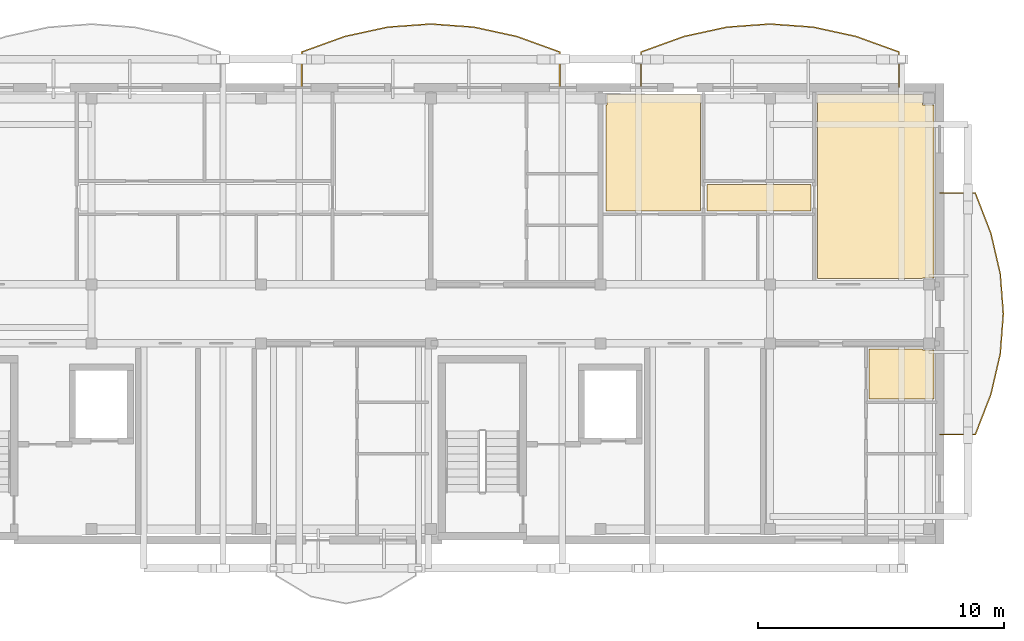
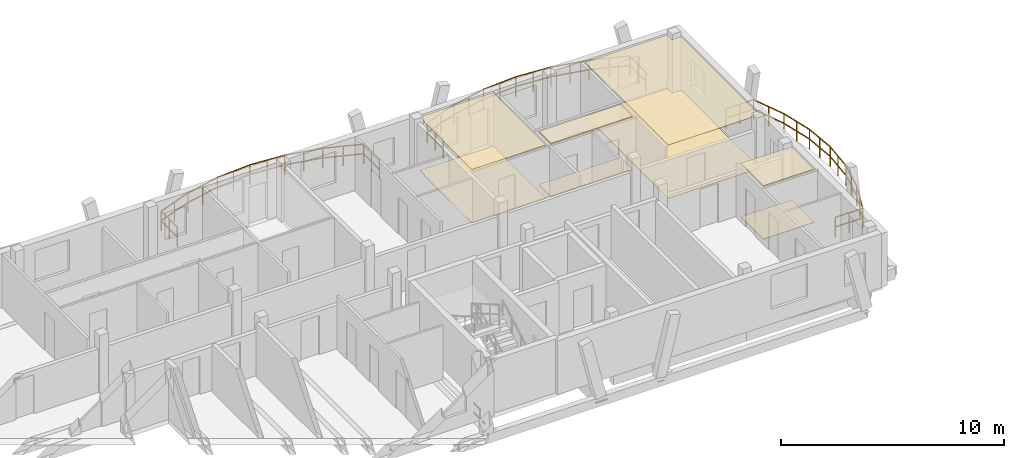
# One storey, part 42 of 42: 8 coverings, 3 railings.
"""IFC4 building model written with IfcOpenShell, lengths in metres."""

import ifcopenshell
import ifcopenshell.guid

model = None  # the IFC model being written
_history = None  # IfcOwnerHistory: only IFC2X3 demands one
_inside = {}  # id of a spatial element -> (the spatial element, [elements in it])
_under = {}  # id of a project, library or spatial element -> (it, [spatial elements below it])
_declared = {}  # id of a project -> (the project, [libraries it declares])
_typed = {}  # id of a type object -> (the type object, [elements of that type])
_made_of = {}  # id of a material, layer set ... -> (it, [elements and type objects made of it])


def new_model(schema):
    """Start an empty IFC model of exactly this schema.

    Asked for "IFC4X3", IfcOpenShell would pick the latest addendum, in which some entities
    have other attributes; the version numbers below select the first issue.
    IFC2X3 requires an IfcOwnerHistory on every rooted entity: one is made here for all.
    """
    global model, _history
    if schema == "IFC4X3":
        model = ifcopenshell.file(schema_version=(4, 3, 0, 0))
    else:
        model = ifcopenshell.file(schema=schema)
    _inside.clear()
    _under.clear()
    _declared.clear()
    _typed.clear()
    _made_of.clear()
    _history = None
    if model.schema == "IFC2X3":
        org = make("IfcOrganization", Name="unknown")
        user = make(
            "IfcPersonAndOrganization",
            ThePerson=make("IfcPerson", FamilyName="unknown"),
            TheOrganization=org,
        )
        app = make(
            "IfcApplication",
            ApplicationDeveloper=org,
            Version="unknown",
            ApplicationFullName="unknown",
            ApplicationIdentifier="unknown",
        )
        _history = make(
            "IfcOwnerHistory",
            OwningUser=user,
            OwningApplication=app,
            ChangeAction="ADDED",
            CreationDate=0,
        )
    return model


def make(cls, **values):
    """One entity of the class cls with the attributes given. An attribute that is None is left unset."""
    return model.create_entity(
        cls, **{name: value for name, value in values.items() if value is not None}
    )


def rooted(cls, **values):
    """An entity with a GlobalId (a new one), such as an element, a storey or a relation."""
    return make(cls, GlobalId=ifcopenshell.guid.new(), OwnerHistory=_history, **values)


def si_unit(unit_type, name, prefix=None):
    """IfcSIUnit, for example si_unit("LENGTHUNIT", "METRE", prefix="MILLI")."""
    return make("IfcSIUnit", UnitType=unit_type, Prefix=prefix, Name=name)


def assignment(units):
    """IfcUnitAssignment: the units of a project."""
    return None if units is None else make("IfcUnitAssignment", Units=units)


def point(xyz):
    """IfcCartesianPoint."""
    return None if xyz is None else make("IfcCartesianPoint", Coordinates=xyz)


def direction(xyz):
    """IfcDirection."""
    return None if xyz is None else make("IfcDirection", DirectionRatios=xyz)


def frame(location, z_axis=None, x_axis=None):
    """IfcAxis2Placement3D, a coordinate frame: its origin and axes. An axis left out is left unset."""
    return make(
        "IfcAxis2Placement3D",
        Location=point(location),
        Axis=direction(z_axis),
        RefDirection=direction(x_axis),
    )


def frame_2d(location, x_axis=None):
    """IfcAxis2Placement2D, a coordinate frame in the plane: its origin and x axis."""
    return make(
        "IfcAxis2Placement2D", Location=point(location), RefDirection=direction(x_axis)
    )


def origin():
    """The frame at (0, 0, 0) with its axes left unset."""
    return frame((0.0, 0.0, 0.0))


def origin_2d():
    """The frame at (0, 0) in the plane with its x axis left unset."""
    return frame_2d((0.0, 0.0))


def place(relative_to, where):
    """IfcLocalPlacement: puts the frame where relative to a parent placement (None: the world)."""
    return make(
        "IfcLocalPlacement", PlacementRelTo=relative_to, RelativePlacement=where
    )


def context(
    kind, dimensions, precision=None, world=None, true_north=None, identifier=None
):
    """IfcGeometricRepresentationContext, for example the 3D "Model" context."""
    return make(
        "IfcGeometricRepresentationContext",
        ContextIdentifier=identifier,
        ContextType=kind,
        CoordinateSpaceDimension=dimensions,
        Precision=precision,
        WorldCoordinateSystem=world,
        TrueNorth=true_north,
    )


def subcontext(parent, identifier, kind, view, scale=None):
    """IfcGeometricRepresentationSubContext, for example "Body" below "Model"."""
    return make(
        "IfcGeometricRepresentationSubContext",
        ContextIdentifier=identifier,
        ContextType=kind,
        ParentContext=parent,
        TargetScale=scale,
        TargetView=view,
    )


def project(units=None, contexts=None):
    """IfcProject with its units and contexts."""
    return rooted(
        "IfcProject",
        Name="project",
        RepresentationContexts=contexts,
        UnitsInContext=assignment(units),
    )


def spatial(cls, under=None, at=None, **own):
    """A site, building, storey or space (cls), placed at a placement, below another one or the project."""
    s = rooted(cls, ObjectPlacement=at, **own)
    if under is not None:
        _under.setdefault(under.id(), (under, []))[1].append(s)
    return s


def polyline(points):
    """IfcPolyline through the points."""
    return make("IfcPolyline", Points=[point(p) for p in points])


def profile(cls, at=None, kind="AREA", **sizes):
    """A parametric profile (cls). Its sizes go by their IFC names, for example OverallWidth=200.0."""
    return make(cls, ProfileType=kind, Position=at, **sizes)


def rectangle(**sizes):
    """IfcRectangleProfileDef."""
    return profile("IfcRectangleProfileDef", **sizes)


def outline(outer, holes=None, kind="AREA"):
    """IfcArbitraryClosedProfileDef: a profile drawn as a closed curve; with holes, ...WithVoids."""
    if holes is None:
        return make("IfcArbitraryClosedProfileDef", ProfileType=kind, OuterCurve=outer)
    return make(
        "IfcArbitraryProfileDefWithVoids",
        ProfileType=kind,
        OuterCurve=outer,
        InnerCurves=holes,
    )


def extrude(swept, where, along, depth):
    """IfcExtrudedAreaSolid: the profile swept, set in the frame where, extruded along a direction by depth."""
    return make(
        "IfcExtrudedAreaSolid",
        SweptArea=swept,
        Position=where,
        ExtrudedDirection=direction(along),
        Depth=depth,
    )


def shape(context_of_items, identifier, shape_type, items):
    """IfcShapeRepresentation: the items that make up one representation, for example the "Body"."""
    return make(
        "IfcShapeRepresentation",
        ContextOfItems=context_of_items,
        RepresentationIdentifier=identifier,
        RepresentationType=shape_type,
        Items=items,
    )


def material(Name=None, Category=None):
    """IfcMaterial."""
    return make("IfcMaterial", Name=Name, Category=Category)


def layer(
    of_material, thickness, ventilated=None, Name=None, Category=None, Priority=None
):
    """IfcMaterialLayer: one layer of a wall or slab, of a material (None: an air gap)."""
    return make(
        "IfcMaterialLayer",
        Material=of_material,
        LayerThickness=thickness,
        IsVentilated=ventilated,
        Name=Name,
        Category=Category,
        Priority=Priority,
    )


def layer_set(layers, Name=None):
    """IfcMaterialLayerSet."""
    return make("IfcMaterialLayerSet", MaterialLayers=layers, LayerSetName=Name)


def made_of(thing, what):
    """Note that an element or type object is made of a material, layer set ...; save() writes the relation."""
    if what is not None:
        _made_of.setdefault(what.id(), (what, []))[1].append(thing)
    return thing


def type_object(cls, material=None, **own):
    """A type object (cls), such as IfcWallType, which elements share."""
    return made_of(rooted(cls, **own), material)


def element(
    cls,
    number,
    at=None,
    inside=None,
    cuts=None,
    type_object=None,
    material=None,
    context=None,
    identifier="Body",
    shape_type=None,
    held_by="IfcProductDefinitionShape",
    body=None,
    shapes=None,
    **own,
):
    """One element of the class cls, such as IfcWall. Its Tag is "e" and its number.

    at: its placement. inside: the storey or other place that contains it. cuts: it is an
    opening in that element (IfcRelVoidsElement). A single representation is given by context,
    identifier, shape_type and body (its items); several are given by shapes. held_by: the class
    of the entity that holds the representations. save() writes the other relations.
    """
    e = rooted(cls, Tag="e%d" % number, ObjectPlacement=at, **own)
    if body is not None:
        shapes = [shape(context, identifier, shape_type, body)]
    if shapes is not None:
        e.Representation = make(held_by, Representations=shapes)
    if inside is not None:
        _inside.setdefault(inside.id(), (inside, []))[1].append(e)
    if cuts is not None:
        rooted(
            "IfcRelVoidsElement", RelatingBuildingElement=cuts, RelatedOpeningElement=e
        )
    if type_object is not None:
        _typed.setdefault(type_object.id(), (type_object, []))[1].append(e)
    return made_of(e, material)


def aggregate(whole, parts):
    """IfcRelAggregates: a whole, such as a stair, and the parts it consists of."""
    return rooted("IfcRelAggregates", RelatingObject=whole, RelatedObjects=parts)


def save(model, path):
    """Write the relations noted so far, then the file.

    IfcRelAggregates (storeys below a building ...), IfcRelContainedInSpatialStructure (elements
    in a storey), IfcRelDefinesByType, IfcRelAssociatesMaterial and IfcRelDeclares: one each for
    every whole, place, type object, material and project.
    """
    for whole, parts in _under.values():
        aggregate(whole, parts)
    for where, things in _inside.values():
        rooted(
            "IfcRelContainedInSpatialStructure",
            RelatedElements=things,
            RelatingStructure=where,
        )
    for kind, things in _typed.values():
        rooted("IfcRelDefinesByType", RelatedObjects=things, RelatingType=kind)
    for what, things in _made_of.values():
        rooted("IfcRelAssociatesMaterial", RelatedObjects=things, RelatingMaterial=what)
    for by, libraries in _declared.values():
        rooted("IfcRelDeclares", RelatingContext=by, RelatedDefinitions=libraries)
    model.write(path)


model = new_model("IFC4")

# Units and contexts
model_context = context("Model", 3, precision=1e-05, world=origin(), true_north=direction((0.0, 1.0)))
body_context = subcontext(model_context, "Body", "Model", "MODEL_VIEW")
ifc_project = project(units=[si_unit("LENGTHUNIT", "METRE"), si_unit("AREAUNIT", "SQUARE_METRE"), si_unit("VOLUMEUNIT", "CUBIC_METRE"), si_unit("PLANEANGLEUNIT", "RADIAN"), si_unit("MASSUNIT", "GRAM", prefix="KILO")], contexts=[model_context])

# Site, building, storey
site_placement = place(None, origin())
site = spatial("IfcSite", under=ifc_project, at=site_placement, CompositionType="ELEMENT")
building_placement = place(site_placement, origin())
building = spatial("IfcBuilding", under=site, at=building_placement, Name="Zavelmont Quarter", CompositionType="ELEMENT")
storey_placement = place(building_placement, frame((0.0, 0.0, 24.0)))
storey = spatial("IfcBuildingStorey", under=building, at=storey_placement, Name="L07", CompositionType="ELEMENT", Elevation=24.0)

# Coverings
ifc_material_1 = material(Name="Perforated acoustic gypsum board")
ifc_layer_1 = layer(ifc_material_1, 0.02490234375)
ifc_layer_set_1 = layer_set([ifc_layer_1], Name="Perforated acoustic gypsum board")
covering_type_1 = type_object("IfcCoveringType", Name="CV-CL01", PredefinedType="CEILING", material=ifc_layer_set_1)
covering_1_placement = place(storey_placement, frame((0.0, 0.0, 2.925048828125)))
element("IfcCovering", 1, at=covering_1_placement, inside=storey, type_object=covering_type_1, Name="L07 Double Bedroom acoustic ceiling", PredefinedType="CEILING", context=body_context, shape_type="SweptSolid", body=[
    extrude(outline(polyline([(154.429931640625, 115.294921875), (154.465087890625, 115.294921875), (154.465087890625, 115.719970703125), (158.27001953125, 115.719970703125), (158.27001953125, 110.97998046875), (154.429931640625, 110.97998046875), (154.429931640625, 115.294921875)])), origin(), (0.0, 0.0, 1.0), 0.02490234375),
])
covering_2_placement = place(storey_placement, frame((0.0, 0.0, 2.925048828125)))
element("IfcCovering", 2, at=covering_2_placement, inside=storey, type_object=covering_type_1, Name="L07 Living Dining acoustic ceiling", PredefinedType="CEILING", context=body_context, shape_type="SweptSolid", body=[
    extrude(outline(polyline([(163.030029296875, 115.719970703125), (167.294921875, 115.719970703125), (167.294921875, 115.294921875), (167.77001953125, 115.294921875), (167.77001953125, 108.264892578125), (167.294921875, 108.264892578125), (167.294921875, 108.22998046875), (163.030029296875, 108.22998046875), (163.030029296875, 115.719970703125)])), origin(), (0.0, 0.0, 1.0), 0.02490234375),
])
covering_3_placement = place(storey_placement, frame((0.0, 0.0, 2.925048828125)))
element("IfcCovering", 3, at=covering_3_placement, inside=storey, type_object=covering_type_1, Name="L07 Kitchen acoustic ceiling", PredefinedType="CEILING", context=body_context, shape_type="SweptSolid", body=[
    extrude(outline(polyline([(165.1298828125, 105.3701171875), (167.294921875, 105.3701171875), (167.294921875, 105.3349609375), (167.77001953125, 105.3349609375), (167.77001953125, 103.330078125), (165.1298828125, 103.330078125), (165.1298828125, 105.3701171875)])), origin(), (0.0, 0.0, 1.0), 0.02490234375),
])
ifc_material_2 = material(Name="Slatted European ash acoustic baffle ceiling")
ifc_layer_2 = layer(ifc_material_2, 0.0400390625)
ifc_layer_set_2 = layer_set([ifc_layer_2], Name="Slatted European ash acoustic baffle ceiling")
covering_type_2 = type_object("IfcCoveringType", Name="CV-CL02", PredefinedType="CEILING", material=ifc_layer_set_2)
covering_4_placement = place(storey_placement, frame((0.0, 0.0, 2.909912109375)))
element("IfcCovering", 4, at=covering_4_placement, inside=storey, type_object=covering_type_2, Name="L07 Apartment Hall acoustic ceiling", PredefinedType="CEILING", context=body_context, shape_type="SweptSolid", body=[
    extrude(outline(polyline([(158.530029296875, 112.070068359375), (162.77001953125, 112.070068359375), (162.77001953125, 110.97998046875), (158.530029296875, 110.97998046875), (158.530029296875, 112.070068359375)])), origin(), (0.0, 0.0, 1.0), 0.0400390625),
])
ifc_material_3 = material(Name="Engineered European oak parquet")
ifc_layer_3 = layer(ifc_material_3, 0.02197265625)
ifc_layer_set_3 = layer_set([ifc_layer_3], Name="Engineered European oak parquet")
covering_type_3 = type_object("IfcCoveringType", Name="CV-FL01", PredefinedType="FLOORING", material=ifc_layer_set_3)
covering_5_placement = place(storey_placement, origin())
element("IfcCovering", 5, at=covering_5_placement, inside=storey, type_object=covering_type_3, Name="L07 Double Bedroom floor finish", PredefinedType="FLOORING", context=body_context, shape_type="SweptSolid", body=[
    extrude(outline(polyline([(154.429931640625, 115.294921875), (154.465087890625, 115.294921875), (154.465087890625, 115.719970703125), (158.27001953125, 115.719970703125), (158.27001953125, 110.97998046875), (154.429931640625, 110.97998046875), (154.429931640625, 115.294921875)])), origin(), (0.0, 0.0, 1.0), 0.02197265625),
])
covering_6_placement = place(storey_placement, origin())
element("IfcCovering", 6, at=covering_6_placement, inside=storey, type_object=covering_type_3, Name="L07 Living Dining floor finish", PredefinedType="FLOORING", context=body_context, shape_type="SweptSolid", body=[
    extrude(outline(polyline([(163.030029296875, 115.719970703125), (167.294921875, 115.719970703125), (167.294921875, 115.294921875), (167.77001953125, 115.294921875), (167.77001953125, 108.264892578125), (167.294921875, 108.264892578125), (167.294921875, 108.22998046875), (163.030029296875, 108.22998046875), (163.030029296875, 115.719970703125)])), origin(), (0.0, 0.0, 1.0), 0.02197265625),
])
covering_7_placement = place(storey_placement, origin())
element("IfcCovering", 7, at=covering_7_placement, inside=storey, type_object=covering_type_3, Name="L07 Kitchen floor finish", PredefinedType="FLOORING", context=body_context, shape_type="SweptSolid", body=[
    extrude(outline(polyline([(165.1298828125, 105.3701171875), (167.294921875, 105.3701171875), (167.294921875, 105.3349609375), (167.77001953125, 105.3349609375), (167.77001953125, 103.330078125), (165.1298828125, 103.330078125), (165.1298828125, 105.3701171875)])), origin(), (0.0, 0.0, 1.0), 0.02197265625),
])
ifc_material_4 = material(Name="Honed Belgian bluestone tile", Category="masonry")
ifc_layer_4 = layer(ifc_material_4, 0.030029296875)
ifc_layer_set_4 = layer_set([ifc_layer_4], Name="Honed Belgian bluestone tile")
covering_type_4 = type_object("IfcCoveringType", Name="CV-FL02", PredefinedType="FLOORING", material=ifc_layer_set_4)
covering_8_placement = place(storey_placement, origin())
element("IfcCovering", 8, at=covering_8_placement, inside=storey, type_object=covering_type_4, Name="L07 Apartment Hall floor finish", PredefinedType="FLOORING", context=body_context, shape_type="SweptSolid", body=[
    extrude(outline(polyline([(158.530029296875, 112.070068359375), (162.77001953125, 112.070068359375), (162.77001953125, 110.97998046875), (158.530029296875, 110.97998046875), (158.530029296875, 112.070068359375)])), origin(), (0.0, 0.0, 1.0), 0.030029296875),
])

# Railings
ifc_material_5 = material(Name="Powder-coated steel and tempered double safety glass", Category="steel")
railing_type = type_object("IfcRailingType", Name="RL-BAL1", PredefinedType="BALUSTRADE", material=ifc_material_5)
railing_1_placement = place(storey_placement, frame((152.549072265625, 116.02001953125, 0.0)))
element("IfcRailing", 9, at=railing_1_placement, inside=storey, type_object=railing_type, Name="L07 Block C curved balcony guard RL-BAL1", PredefinedType="BALUSTRADE", context=body_context, shape_type="SweptSolid", body=[
    extrude(rectangle(XDim=0.048095703125, YDim=0.048095703125, at=origin_2d()), frame((0.0, 0.0, 1.076171875), z_axis=(0.0, 1.0, 0.0), x_axis=(-1.0, 0.0, 0.0)), (0.0, 0.0, 1.0), 1.43212890625),
    extrude(rectangle(XDim=0.048095703125, YDim=0.048095703125, at=origin_2d()), frame((0.0, 0.0, 0.550048828125), z_axis=(0.0, 1.0, 0.0), x_axis=(-1.0, 0.0, 0.0)), (0.0, 0.0, 1.0), 1.43212890625),
    extrude(rectangle(XDim=0.048095703125, YDim=0.048095703125, at=origin_2d()), frame((0.0, 1.43212890625, 1.076171875), z_axis=(-0.94022167612, 0.340563062817, 0.0), x_axis=(-0.340563062817, -0.94022167612, 0.0)), (0.0, 0.0, 1.0), 1.861083984375),
    extrude(rectangle(XDim=0.048095703125, YDim=0.048095703125, at=origin_2d()), frame((0.0, 1.43212890625, 0.550048828125), z_axis=(-0.94022167612, 0.340563062817, 0.0), x_axis=(-0.340563062817, -0.94022167612, 0.0)), (0.0, 0.0, 1.0), 1.861083984375),
    extrude(rectangle(XDim=0.048095703125, YDim=0.048095703125, at=origin_2d()), frame((-1.749755859375, 2.06591796875, 1.076171875), z_axis=(-0.977171440838, 0.212452289258, 0.0), x_axis=(-0.212452289258, -0.977171440838, 0.0)), (0.0, 0.0, 1.0), 1.790283203125),
    extrude(rectangle(XDim=0.048095703125, YDim=0.048095703125, at=origin_2d()), frame((-1.749755859375, 2.06591796875, 0.550048828125), z_axis=(-0.977171440838, 0.212452289258, 0.0), x_axis=(-0.212452289258, -0.977171440838, 0.0)), (0.0, 0.0, 1.0), 1.790283203125),
    extrude(rectangle(XDim=0.048095703125, YDim=0.048095703125, at=origin_2d()), frame((-3.499267578125, 2.4462890625, 1.076171875), z_axis=(-0.997388284097, 0.072226108476, 0.0), x_axis=(-0.072226108476, -0.997388284097, 0.0)), (0.0, 0.0, 1.0), 1.75439453125),
    extrude(rectangle(XDim=0.048095703125, YDim=0.048095703125, at=origin_2d()), frame((-3.499267578125, 2.4462890625, 0.550048828125), z_axis=(-0.997388284097, 0.072226108476, 0.0), x_axis=(-0.072226108476, -0.997388284097, 0.0)), (0.0, 0.0, 1.0), 1.75439453125),
    extrude(rectangle(XDim=0.048095703125, YDim=0.048095703125, at=origin_2d()), frame((-5.2490234375, 2.572998046875, 1.076171875), z_axis=(-0.997388284097, -0.072226108476, 0.0), x_axis=(0.072226108476, -0.997388284097, 0.0)), (0.0, 0.0, 1.0), 1.75439453125),
    extrude(rectangle(XDim=0.048095703125, YDim=0.048095703125, at=origin_2d()), frame((-5.2490234375, 2.572998046875, 0.550048828125), z_axis=(-0.997388284097, -0.072226108476, 0.0), x_axis=(0.072226108476, -0.997388284097, 0.0)), (0.0, 0.0, 1.0), 1.75439453125),
    extrude(rectangle(XDim=0.048095703125, YDim=0.048095703125, at=origin_2d()), frame((-6.998779296875, 2.4462890625, 1.076171875), z_axis=(-0.977177594448, -0.212423983836, 0.0), x_axis=(0.212423983836, -0.977177594448, 0.0)), (0.0, 0.0, 1.0), 1.79052734375),
    extrude(rectangle(XDim=0.048095703125, YDim=0.048095703125, at=origin_2d()), frame((-6.998779296875, 2.4462890625, 0.550048828125), z_axis=(-0.977177594448, -0.212423983836, 0.0), x_axis=(0.212423983836, -0.977177594448, 0.0)), (0.0, 0.0, 1.0), 1.79052734375),
    extrude(rectangle(XDim=0.048095703125, YDim=0.048095703125, at=origin_2d()), frame((-8.74853515625, 2.06591796875, 1.076171875), z_axis=(-0.94022167612, -0.340563062817, 0.0), x_axis=(0.340563062817, -0.94022167612, 0.0)), (0.0, 0.0, 1.0), 1.861083984375),
    extrude(rectangle(XDim=0.048095703125, YDim=0.048095703125, at=origin_2d()), frame((-8.74853515625, 2.06591796875, 0.550048828125), z_axis=(-0.94022167612, -0.340563062817, 0.0), x_axis=(0.340563062817, -0.94022167612, 0.0)), (0.0, 0.0, 1.0), 1.861083984375),
    extrude(rectangle(XDim=0.048095703125, YDim=0.048095703125, at=origin_2d()), frame((-10.498291015625, 1.43212890625, 1.076171875), z_axis=(0.0, -1.0, 0.0), x_axis=(1.0, 0.0, 0.0)), (0.0, 0.0, 1.0), 1.43212890625),
    extrude(rectangle(XDim=0.048095703125, YDim=0.048095703125, at=origin_2d()), frame((-10.498291015625, 1.43212890625, 0.550048828125), z_axis=(0.0, -1.0, 0.0), x_axis=(1.0, 0.0, 0.0)), (0.0, 0.0, 1.0), 1.43212890625),
    extrude(rectangle(XDim=0.0419921875, YDim=0.0419921875, at=origin_2d()), origin(), (0.0, 0.0, 1.0), 1.052001953125),
    extrude(rectangle(XDim=0.0419921875, YDim=0.0419921875, at=origin_2d()), frame((0.0, 0.716064453125, 0.0)), (0.0, 0.0, 1.0), 1.052001953125),
    extrude(rectangle(XDim=0.0419921875, YDim=0.0419921875, at=origin_2d()), frame((0.0, 1.43212890625, 0.0)), (0.0, 0.0, 1.0), 1.052001953125),
    extrude(rectangle(XDim=0.0419921875, YDim=0.0419921875, at=origin_2d()), frame((-0.875, 1.7490234375, 0.0)), (0.0, 0.0, 1.0), 1.052001953125),
    extrude(rectangle(XDim=0.0419921875, YDim=0.0419921875, at=origin_2d()), frame((-1.749755859375, 2.06591796875, 0.0)), (0.0, 0.0, 1.0), 1.052001953125),
    extrude(rectangle(XDim=0.0419921875, YDim=0.0419921875, at=origin_2d()), frame((-2.62451171875, 2.256103515625, 0.0)), (0.0, 0.0, 1.0), 1.052001953125),
    extrude(rectangle(XDim=0.0419921875, YDim=0.0419921875, at=origin_2d()), frame((-3.499267578125, 2.4462890625, 0.0)), (0.0, 0.0, 1.0), 1.052001953125),
    extrude(rectangle(XDim=0.0419921875, YDim=0.0419921875, at=origin_2d()), frame((-4.3740234375, 2.509765625, 0.0)), (0.0, 0.0, 1.0), 1.052001953125),
    extrude(rectangle(XDim=0.0419921875, YDim=0.0419921875, at=origin_2d()), frame((-5.2490234375, 2.572998046875, 0.0)), (0.0, 0.0, 1.0), 1.052001953125),
    extrude(rectangle(XDim=0.0419921875, YDim=0.0419921875, at=origin_2d()), frame((-6.1240234375, 2.509765625, 0.0)), (0.0, 0.0, 1.0), 1.052001953125),
    extrude(rectangle(XDim=0.0419921875, YDim=0.0419921875, at=origin_2d()), frame((-6.998779296875, 2.4462890625, 0.0)), (0.0, 0.0, 1.0), 1.052001953125),
    extrude(rectangle(XDim=0.0419921875, YDim=0.0419921875, at=origin_2d()), frame((-7.87353515625, 2.256103515625, 0.0)), (0.0, 0.0, 1.0), 1.052001953125),
    extrude(rectangle(XDim=0.0419921875, YDim=0.0419921875, at=origin_2d()), frame((-8.74853515625, 2.06591796875, 0.0)), (0.0, 0.0, 1.0), 1.052001953125),
    extrude(rectangle(XDim=0.0419921875, YDim=0.0419921875, at=origin_2d()), frame((-9.62353515625, 1.7490234375, 0.0)), (0.0, 0.0, 1.0), 1.052001953125),
    extrude(rectangle(XDim=0.0419921875, YDim=0.0419921875, at=origin_2d()), frame((-10.498291015625, 1.43212890625, 0.0)), (0.0, 0.0, 1.0), 1.052001953125),
    extrude(rectangle(XDim=0.0419921875, YDim=0.0419921875, at=origin_2d()), frame((-10.498291015625, 0.716064453125, 0.0)), (0.0, 0.0, 1.0), 1.052001953125),
    extrude(rectangle(XDim=0.0419921875, YDim=0.0419921875, at=origin_2d()), frame((-10.498291015625, 0.0, 0.0)), (0.0, 0.0, 1.0), 1.052001953125),
])
railing_2_placement = place(storey_placement, frame((166.34912109375, 116.02001953125, 0.0)))
element("IfcRailing", 10, at=railing_2_placement, inside=storey, type_object=railing_type, Name="L07 Block C curved balcony guard RL-BAL1", PredefinedType="BALUSTRADE", context=body_context, shape_type="SweptSolid", body=[
    extrude(rectangle(XDim=0.048095703125, YDim=0.048095703125, at=origin_2d()), frame((0.0, 0.0, 1.076171875), z_axis=(0.0, 1.0, 0.0), x_axis=(-1.0, 0.0, 0.0)), (0.0, 0.0, 1.0), 1.43212890625),
    extrude(rectangle(XDim=0.048095703125, YDim=0.048095703125, at=origin_2d()), frame((0.0, 0.0, 0.550048828125), z_axis=(0.0, 1.0, 0.0), x_axis=(-1.0, 0.0, 0.0)), (0.0, 0.0, 1.0), 1.43212890625),
    extrude(rectangle(XDim=0.048095703125, YDim=0.048095703125, at=origin_2d()), frame((0.0, 1.43212890625, 1.076171875), z_axis=(-0.94022167612, 0.340563062817, 0.0), x_axis=(-0.340563062817, -0.94022167612, 0.0)), (0.0, 0.0, 1.0), 1.861083984375),
    extrude(rectangle(XDim=0.048095703125, YDim=0.048095703125, at=origin_2d()), frame((0.0, 1.43212890625, 0.550048828125), z_axis=(-0.94022167612, 0.340563062817, 0.0), x_axis=(-0.340563062817, -0.94022167612, 0.0)), (0.0, 0.0, 1.0), 1.861083984375),
    extrude(rectangle(XDim=0.048095703125, YDim=0.048095703125, at=origin_2d()), frame((-1.749755859375, 2.06591796875, 1.076171875), z_axis=(-0.977177594448, 0.212423983836, 0.0), x_axis=(-0.212423983836, -0.977177594448, 0.0)), (0.0, 0.0, 1.0), 1.79052734375),
    extrude(rectangle(XDim=0.048095703125, YDim=0.048095703125, at=origin_2d()), frame((-1.749755859375, 2.06591796875, 0.550048828125), z_axis=(-0.977177594448, 0.212423983836, 0.0), x_axis=(-0.212423983836, -0.977177594448, 0.0)), (0.0, 0.0, 1.0), 1.79052734375),
    extrude(rectangle(XDim=0.048095703125, YDim=0.048095703125, at=origin_2d()), frame((-3.49951171875, 2.4462890625, 1.076171875), z_axis=(-0.997387557982, 0.072236134886, 0.0), x_axis=(-0.072236134886, -0.997387557982, 0.0)), (0.0, 0.0, 1.0), 1.754150390625),
    extrude(rectangle(XDim=0.048095703125, YDim=0.048095703125, at=origin_2d()), frame((-3.49951171875, 2.4462890625, 0.550048828125), z_axis=(-0.997387557982, 0.072236134886, 0.0), x_axis=(-0.072236134886, -0.997387557982, 0.0)), (0.0, 0.0, 1.0), 1.754150390625),
    extrude(rectangle(XDim=0.048095703125, YDim=0.048095703125, at=origin_2d()), frame((-5.2490234375, 2.572998046875, 1.076171875), z_axis=(-0.997388284097, -0.072226108476, 0.0), x_axis=(0.072226108476, -0.997388284097, 0.0)), (0.0, 0.0, 1.0), 1.75439453125),
    extrude(rectangle(XDim=0.048095703125, YDim=0.048095703125, at=origin_2d()), frame((-5.2490234375, 2.572998046875, 0.550048828125), z_axis=(-0.997388284097, -0.072226108476, 0.0), x_axis=(0.072226108476, -0.997388284097, 0.0)), (0.0, 0.0, 1.0), 1.75439453125),
    extrude(rectangle(XDim=0.048095703125, YDim=0.048095703125, at=origin_2d()), frame((-6.998779296875, 2.4462890625, 1.076171875), z_axis=(-0.977177594448, -0.212423983836, 0.0), x_axis=(0.212423983836, -0.977177594448, 0.0)), (0.0, 0.0, 1.0), 1.79052734375),
    extrude(rectangle(XDim=0.048095703125, YDim=0.048095703125, at=origin_2d()), frame((-6.998779296875, 2.4462890625, 0.550048828125), z_axis=(-0.977177594448, -0.212423983836, 0.0), x_axis=(0.212423983836, -0.977177594448, 0.0)), (0.0, 0.0, 1.0), 1.79052734375),
    extrude(rectangle(XDim=0.048095703125, YDim=0.048095703125, at=origin_2d()), frame((-8.74853515625, 2.06591796875, 1.076171875), z_axis=(-0.94022167612, -0.340563062817, 0.0), x_axis=(0.340563062817, -0.94022167612, 0.0)), (0.0, 0.0, 1.0), 1.861083984375),
    extrude(rectangle(XDim=0.048095703125, YDim=0.048095703125, at=origin_2d()), frame((-8.74853515625, 2.06591796875, 0.550048828125), z_axis=(-0.94022167612, -0.340563062817, 0.0), x_axis=(0.340563062817, -0.94022167612, 0.0)), (0.0, 0.0, 1.0), 1.861083984375),
    extrude(rectangle(XDim=0.048095703125, YDim=0.048095703125, at=origin_2d()), frame((-10.498291015625, 1.43212890625, 1.076171875), z_axis=(0.0, -1.0, 0.0), x_axis=(1.0, 0.0, 0.0)), (0.0, 0.0, 1.0), 1.43212890625),
    extrude(rectangle(XDim=0.048095703125, YDim=0.048095703125, at=origin_2d()), frame((-10.498291015625, 1.43212890625, 0.550048828125), z_axis=(0.0, -1.0, 0.0), x_axis=(1.0, 0.0, 0.0)), (0.0, 0.0, 1.0), 1.43212890625),
    extrude(rectangle(XDim=0.0419921875, YDim=0.0419921875, at=origin_2d()), origin(), (0.0, 0.0, 1.0), 1.052001953125),
    extrude(rectangle(XDim=0.0419921875, YDim=0.0419921875, at=origin_2d()), frame((0.0, 0.716064453125, 0.0)), (0.0, 0.0, 1.0), 1.052001953125),
    extrude(rectangle(XDim=0.0419921875, YDim=0.0419921875, at=origin_2d()), frame((0.0, 1.43212890625, 0.0)), (0.0, 0.0, 1.0), 1.052001953125),
    extrude(rectangle(XDim=0.0419921875, YDim=0.0419921875, at=origin_2d()), frame((-0.875, 1.7490234375, 0.0)), (0.0, 0.0, 1.0), 1.052001953125),
    extrude(rectangle(XDim=0.0419921875, YDim=0.0419921875, at=origin_2d()), frame((-1.749755859375, 2.06591796875, 0.0)), (0.0, 0.0, 1.0), 1.052001953125),
    extrude(rectangle(XDim=0.0419921875, YDim=0.0419921875, at=origin_2d()), frame((-2.62451171875, 2.256103515625, 0.0)), (0.0, 0.0, 1.0), 1.052001953125),
    extrude(rectangle(XDim=0.0419921875, YDim=0.0419921875, at=origin_2d()), frame((-3.49951171875, 2.4462890625, 0.0)), (0.0, 0.0, 1.0), 1.052001953125),
    extrude(rectangle(XDim=0.0419921875, YDim=0.0419921875, at=origin_2d()), frame((-4.374267578125, 2.509765625, 0.0)), (0.0, 0.0, 1.0), 1.052001953125),
    extrude(rectangle(XDim=0.0419921875, YDim=0.0419921875, at=origin_2d()), frame((-5.2490234375, 2.572998046875, 0.0)), (0.0, 0.0, 1.0), 1.052001953125),
    extrude(rectangle(XDim=0.0419921875, YDim=0.0419921875, at=origin_2d()), frame((-6.1240234375, 2.509765625, 0.0)), (0.0, 0.0, 1.0), 1.052001953125),
    extrude(rectangle(XDim=0.0419921875, YDim=0.0419921875, at=origin_2d()), frame((-6.998779296875, 2.4462890625, 0.0)), (0.0, 0.0, 1.0), 1.052001953125),
    extrude(rectangle(XDim=0.0419921875, YDim=0.0419921875, at=origin_2d()), frame((-7.87353515625, 2.256103515625, 0.0)), (0.0, 0.0, 1.0), 1.052001953125),
    extrude(rectangle(XDim=0.0419921875, YDim=0.0419921875, at=origin_2d()), frame((-8.74853515625, 2.06591796875, 0.0)), (0.0, 0.0, 1.0), 1.052001953125),
    extrude(rectangle(XDim=0.0419921875, YDim=0.0419921875, at=origin_2d()), frame((-9.62353515625, 1.7490234375, 0.0)), (0.0, 0.0, 1.0), 1.052001953125),
    extrude(rectangle(XDim=0.0419921875, YDim=0.0419921875, at=origin_2d()), frame((-10.498291015625, 1.43212890625, 0.0)), (0.0, 0.0, 1.0), 1.052001953125),
    extrude(rectangle(XDim=0.0419921875, YDim=0.0419921875, at=origin_2d()), frame((-10.498291015625, 0.716064453125, 0.0)), (0.0, 0.0, 1.0), 1.052001953125),
    extrude(rectangle(XDim=0.0419921875, YDim=0.0419921875, at=origin_2d()), frame((-10.498291015625, 0.0, 0.0)), (0.0, 0.0, 1.0), 1.052001953125),
])
railing_3_placement = place(storey_placement, frame((168.02001953125, 101.888671875, 0.0)))
element("IfcRailing", 11, at=railing_3_placement, inside=storey, type_object=railing_type, Name="L07 Block C curved balcony guard RL-BAL1", PredefinedType="BALUSTRADE", context=body_context, shape_type="SweptSolid", body=[
    extrude(rectangle(XDim=0.048095703125, YDim=0.048095703125, at=origin_2d()), frame((0.0, 0.0, 1.076171875), z_axis=(1.0, 0.0, 0.0), x_axis=(0.0, 1.0, 0.0)), (0.0, 0.0, 1.0), 1.43212890625),
    extrude(rectangle(XDim=0.048095703125, YDim=0.048095703125, at=origin_2d()), frame((0.0, 0.0, 0.550048828125), z_axis=(1.0, 0.0, 0.0), x_axis=(0.0, 1.0, 0.0)), (0.0, 0.0, 1.0), 1.43212890625),
    extrude(rectangle(XDim=0.048095703125, YDim=0.048095703125, at=origin_2d()), frame((1.43212890625, 0.0, 1.076171875), z_axis=(0.36100970786, 0.932562057362, 0.0), x_axis=(-0.932562057362, 0.36100970786, 0.0)), (0.0, 0.0, 1.0), 1.755615234375),
    extrude(rectangle(XDim=0.048095703125, YDim=0.048095703125, at=origin_2d()), frame((1.43212890625, 0.0, 0.550048828125), z_axis=(0.36100970786, 0.932562057362, 0.0), x_axis=(-0.932562057362, 0.36100970786, 0.0)), (0.0, 0.0, 1.0), 1.755615234375),
    extrude(rectangle(XDim=0.048095703125, YDim=0.048095703125, at=origin_2d()), frame((2.06591796875, 1.63720703125, 1.076171875), z_axis=(0.226334006293, 0.974049751088, 0.0), x_axis=(-0.974049751088, 0.226334006293, 0.0)), (0.0, 0.0, 1.0), 1.6806640625),
    extrude(rectangle(XDim=0.048095703125, YDim=0.048095703125, at=origin_2d()), frame((2.06591796875, 1.63720703125, 0.550048828125), z_axis=(0.226334006293, 0.974049751088, 0.0), x_axis=(-0.974049751088, 0.226334006293, 0.0)), (0.0, 0.0, 1.0), 1.6806640625),
    extrude(rectangle(XDim=0.048095703125, YDim=0.048095703125, at=origin_2d()), frame((2.4462890625, 3.274169921875, 1.076171875), z_axis=(0.077162632212, 0.997018519482, 0.0), x_axis=(-0.997018519482, 0.077162632212, 0.0)), (0.0, 0.0, 1.0), 1.64208984375),
    extrude(rectangle(XDim=0.048095703125, YDim=0.048095703125, at=origin_2d()), frame((2.4462890625, 3.274169921875, 0.550048828125), z_axis=(0.077162632212, 0.997018519482, 0.0), x_axis=(-0.997018519482, 0.077162632212, 0.0)), (0.0, 0.0, 1.0), 1.64208984375),
    extrude(rectangle(XDim=0.048095703125, YDim=0.048095703125, at=origin_2d()), frame((2.572998046875, 4.911376953125, 1.076171875), z_axis=(-0.077174071898, 0.99701763406, 0.0), x_axis=(-0.99701763406, -0.077174071898, 0.0)), (0.0, 0.0, 1.0), 1.641845703125),
    extrude(rectangle(XDim=0.048095703125, YDim=0.048095703125, at=origin_2d()), frame((2.572998046875, 4.911376953125, 0.550048828125), z_axis=(-0.077174071898, 0.99701763406, 0.0), x_axis=(-0.99701763406, -0.077174071898, 0.0)), (0.0, 0.0, 1.0), 1.641845703125),
    extrude(rectangle(XDim=0.048095703125, YDim=0.048095703125, at=origin_2d()), frame((2.4462890625, 6.54833984375, 1.076171875), z_axis=(-0.22630198392, 0.974057191377, 0.0), x_axis=(-0.974057191377, -0.22630198392, 0.0)), (0.0, 0.0, 1.0), 1.680908203125),
    extrude(rectangle(XDim=0.048095703125, YDim=0.048095703125, at=origin_2d()), frame((2.4462890625, 6.54833984375, 0.550048828125), z_axis=(-0.22630198392, 0.974057191377, 0.0), x_axis=(-0.974057191377, -0.22630198392, 0.0)), (0.0, 0.0, 1.0), 1.680908203125),
    extrude(rectangle(XDim=0.048095703125, YDim=0.048095703125, at=origin_2d()), frame((2.06591796875, 8.185546875, 1.076171875), z_axis=(-0.361056531257, 0.932543929923, 0.0), x_axis=(-0.932543929923, -0.361056531257, 0.0)), (0.0, 0.0, 1.0), 1.75537109375),
    extrude(rectangle(XDim=0.048095703125, YDim=0.048095703125, at=origin_2d()), frame((2.06591796875, 8.185546875, 0.550048828125), z_axis=(-0.361056531257, 0.932543929923, 0.0), x_axis=(-0.932543929923, -0.361056531257, 0.0)), (0.0, 0.0, 1.0), 1.75537109375),
    extrude(rectangle(XDim=0.048095703125, YDim=0.048095703125, at=origin_2d()), frame((1.43212890625, 9.822509765625, 1.076171875), z_axis=(-1.0, 0.0, 0.0), x_axis=(0.0, -1.0, 0.0)), (0.0, 0.0, 1.0), 1.43212890625),
    extrude(rectangle(XDim=0.048095703125, YDim=0.048095703125, at=origin_2d()), frame((1.43212890625, 9.822509765625, 0.550048828125), z_axis=(-1.0, 0.0, 0.0), x_axis=(0.0, -1.0, 0.0)), (0.0, 0.0, 1.0), 1.43212890625),
    extrude(rectangle(XDim=0.0419921875, YDim=0.0419921875, at=origin_2d()), origin(), (0.0, 0.0, 1.0), 1.052001953125),
    extrude(rectangle(XDim=0.0419921875, YDim=0.0419921875, at=origin_2d()), frame((0.716064453125, 0.0, 0.0)), (0.0, 0.0, 1.0), 1.052001953125),
    extrude(rectangle(XDim=0.0419921875, YDim=0.0419921875, at=origin_2d()), frame((1.43212890625, 0.0, 0.0)), (0.0, 0.0, 1.0), 1.052001953125),
    extrude(rectangle(XDim=0.0419921875, YDim=0.0419921875, at=origin_2d()), frame((1.7490234375, 0.818603515625, 0.0)), (0.0, 0.0, 1.0), 1.052001953125),
    extrude(rectangle(XDim=0.0419921875, YDim=0.0419921875, at=origin_2d()), frame((2.06591796875, 1.63720703125, 0.0)), (0.0, 0.0, 1.0), 1.052001953125),
    extrude(rectangle(XDim=0.0419921875, YDim=0.0419921875, at=origin_2d()), frame((2.256103515625, 2.45556640625, 0.0)), (0.0, 0.0, 1.0), 1.052001953125),
    extrude(rectangle(XDim=0.0419921875, YDim=0.0419921875, at=origin_2d()), frame((2.4462890625, 3.274169921875, 0.0)), (0.0, 0.0, 1.0), 1.052001953125),
    extrude(rectangle(XDim=0.0419921875, YDim=0.0419921875, at=origin_2d()), frame((2.509765625, 4.0927734375, 0.0)), (0.0, 0.0, 1.0), 1.052001953125),
    extrude(rectangle(XDim=0.0419921875, YDim=0.0419921875, at=origin_2d()), frame((2.572998046875, 4.911376953125, 0.0)), (0.0, 0.0, 1.0), 1.052001953125),
    extrude(rectangle(XDim=0.0419921875, YDim=0.0419921875, at=origin_2d()), frame((2.509765625, 5.72998046875, 0.0)), (0.0, 0.0, 1.0), 1.052001953125),
    extrude(rectangle(XDim=0.0419921875, YDim=0.0419921875, at=origin_2d()), frame((2.4462890625, 6.54833984375, 0.0)), (0.0, 0.0, 1.0), 1.052001953125),
    extrude(rectangle(XDim=0.0419921875, YDim=0.0419921875, at=origin_2d()), frame((2.256103515625, 7.366943359375, 0.0)), (0.0, 0.0, 1.0), 1.052001953125),
    extrude(rectangle(XDim=0.0419921875, YDim=0.0419921875, at=origin_2d()), frame((2.06591796875, 8.185546875, 0.0)), (0.0, 0.0, 1.0), 1.052001953125),
    extrude(rectangle(XDim=0.0419921875, YDim=0.0419921875, at=origin_2d()), frame((1.7490234375, 9.00390625, 0.0)), (0.0, 0.0, 1.0), 1.052001953125),
    extrude(rectangle(XDim=0.0419921875, YDim=0.0419921875, at=origin_2d()), frame((1.43212890625, 9.822509765625, 0.0)), (0.0, 0.0, 1.0), 1.052001953125),
    extrude(rectangle(XDim=0.0419921875, YDim=0.0419921875, at=origin_2d()), frame((0.716064453125, 9.822509765625, 0.0)), (0.0, 0.0, 1.0), 1.052001953125),
    extrude(rectangle(XDim=0.0419921875, YDim=0.0419921875, at=origin_2d()), frame((0.0, 9.822509765625, 0.0)), (0.0, 0.0, 1.0), 1.052001953125),
])

save(model, "model.ifc")
